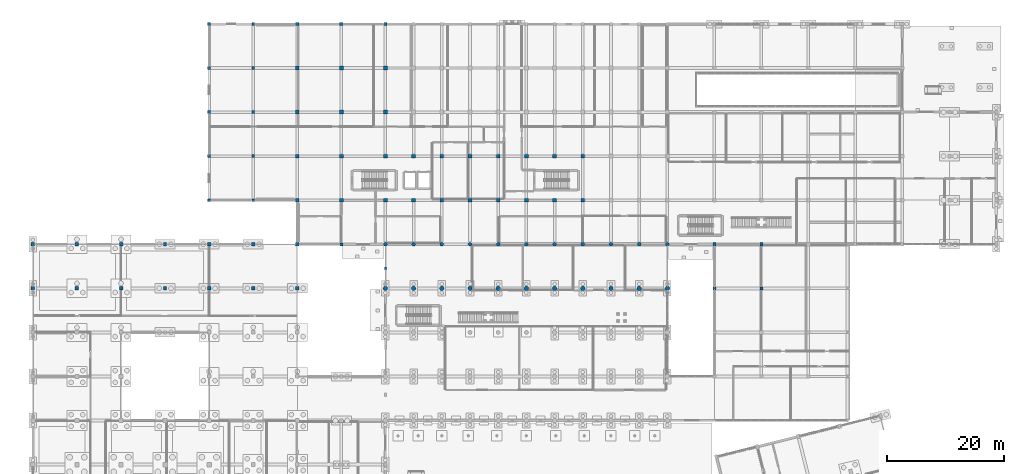
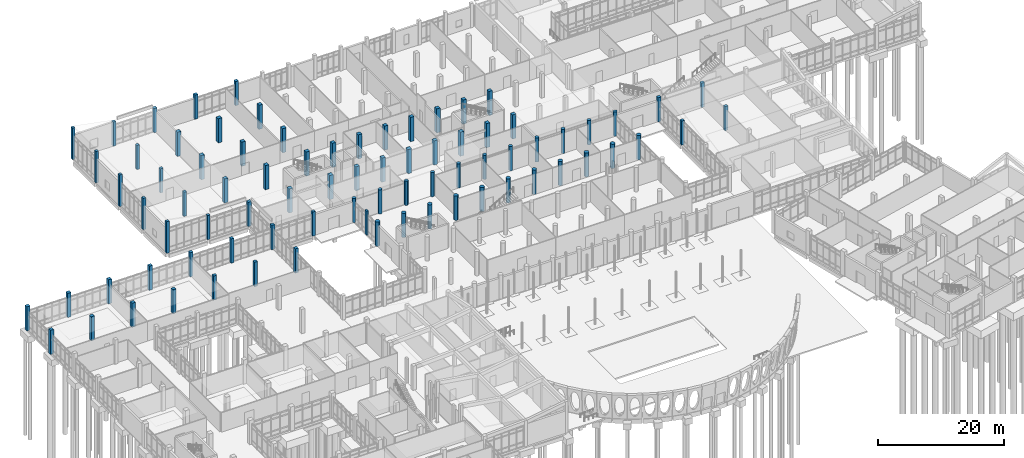
# One storey, part 18 of 173: 81 columns.
"""IFC4 building model written with IfcOpenShell, lengths in metres."""

from ifc_helpers import new_model, si_unit, direction, frame, origin, origin_2d, place, context, subcontext, project, spatial, rectangle, circle, extrude, material, material_profile, profile_set, type_object, element, save


model = new_model("IFC4")

# Units and contexts
model_context = context("Model", 3, precision=1e-05, world=origin(), true_north=direction((0.0, 1.0)))
body_context = subcontext(model_context, "Body", "Model", "MODEL_VIEW")
ifc_project = project(units=[si_unit("LENGTHUNIT", "METRE"), si_unit("AREAUNIT", "SQUARE_METRE"), si_unit("VOLUMEUNIT", "CUBIC_METRE"), si_unit("PLANEANGLEUNIT", "RADIAN"), si_unit("MASSUNIT", "GRAM", prefix="KILO")], contexts=[model_context])

# Site, building, storey
site_placement = place(None, origin())
site = spatial("IfcSite", under=ifc_project, at=site_placement, CompositionType="ELEMENT")
building_placement = place(site_placement, origin())
building = spatial("IfcBuilding", under=site, at=building_placement, Name="Mawjan Specialist Oncology Clinic", CompositionType="ELEMENT")
storey_placement = place(building_placement, origin())
storey = spatial("IfcBuildingStorey", under=building, at=storey_placement, Name="L00", CompositionType="ELEMENT", Elevation=0.0)

# Columns
ifc_material_1 = material(Name="Concrete C45/55", Category="concrete")
ifc_material_profile_1 = material_profile(ifc_material_1, rectangle(XDim=0.5, YDim=0.5, at=origin_2d()), Name="RC COL 500x500", Category="concrete")
ifc_profile_set_1 = profile_set([ifc_material_profile_1], Name="Concrete C45/55")
column_type_1 = type_object("IfcColumnType", Name="C-500", PredefinedType="COLUMN", material=ifc_profile_set_1)
for number, where, z_axis, x_axis, name in (
    (1, (30.0, 83.300048828125, 0.0), (0.0, 0.0, 1.0), (1.0, 0.0, 0.0), "L00 Column G-5-M"),
    (2, (30.0, 90.800048828125, 0.0), (0.0, 0.0, 1.0), (1.0, 0.0, 0.0), "L00 Column G-5-N"),
    (3, (30.0, 98.300048828125, 0.0), (0.0, 0.0, 1.0), (1.0, 0.0, 0.0), "L00 Column G-5-P"),
    (4, (30.0, 105.800048828125, 0.0), (0.0, 0.0, 1.0), (1.0, 0.0, 0.0), "L00 Column G-5-Q"),
    (5, (30.0, 113.300048828125, 0.0), (0.0, 0.0, 1.0), (1.0, 0.0, 0.0), "L00 Column G-5-R"),
):
    element("IfcColumn", number, at=place(storey_placement, frame(where, z_axis=z_axis, x_axis=x_axis)), inside=storey, type_object=column_type_1, Name=name, PredefinedType="COLUMN", context=body_context, shape_type="SweptSolid", body=[
        extrude(rectangle(XDim=0.5, YDim=0.5, at=origin_2d()), origin(), (0.0, 0.0, 1.0), 6.135986328125),
    ])
for number, where, z_axis, x_axis, name in (
    (6, (37.5, 83.300048828125, 0.0), (0.0, 0.0, 1.0), (1.0, 0.0, 0.0), "L00 Column G-6-M"),
    (7, (37.5, 90.800048828125, 0.0), (0.0, 0.0, 1.0), (1.0, 0.0, 0.0), "L00 Column G-6-N"),
    (8, (37.5, 98.300048828125, 0.0), (0.0, 0.0, 1.0), (1.0, 0.0, 0.0), "L00 Column G-6-P"),
    (9, (37.5, 105.800048828125, 0.0), (0.0, 0.0, 1.0), (1.0, 0.0, 0.0), "L00 Column G-6-Q"),
    (10, (37.5, 113.300048828125, 0.0), (0.0, 0.0, 1.0), (1.0, 0.0, 0.0), "L00 Column G-6-R"),
    (11, (52.5, 75.800048828125, 0.0), (0.0, 0.0, 1.0), (1.0, 0.0, 0.0), "L00 Column G-8-L"),
):
    element("IfcColumn", number, at=place(storey_placement, frame(where, z_axis=z_axis, x_axis=x_axis)), inside=storey, type_object=column_type_1, Name=name, PredefinedType="COLUMN", context=body_context, shape_type="SweptSolid", body=[
        extrude(rectangle(XDim=0.5, YDim=0.5, at=origin_2d()), origin(), (0.0, 0.0, 1.0), 4.699951171875),
    ])
for number, where, z_axis, x_axis, name in (
    (12, (116.0, 68.300048828125, 0.0), (0.0, 0.0, 1.0), (1.0, 0.0, 0.0), "L00 Column G-20-K"),
    (13, (124.0, 68.300048828125, 0.0), (0.0, 0.0, 1.0), (1.0, 0.0, 0.0), "L00 Column G-21-K"),
):
    element("IfcColumn", number, at=place(storey_placement, frame(where, z_axis=z_axis, x_axis=x_axis)), inside=storey, type_object=column_type_1, Name=name, PredefinedType="COLUMN", context=body_context, shape_type="SweptSolid", body=[
        extrude(rectangle(XDim=0.5, YDim=0.5, at=origin_2d()), origin(), (0.0, 0.0, 1.0), 4.7041015625),
    ])
ifc_material_2 = material(Name="Concrete C45/55", Category="concrete")
ifc_material_profile_2 = material_profile(ifc_material_2, rectangle(XDim=0.550048828125, YDim=0.550048828125, at=origin_2d()), Name="RC COL 550x550", Category="concrete")
ifc_profile_set_2 = profile_set([ifc_material_profile_2], Name="Concrete C45/55")
column_type_2 = type_object("IfcColumnType", Name="C-550", PredefinedType="COLUMN", material=ifc_profile_set_2)
for number, where, z_axis, x_axis, name in (
    (14, (22.5, 68.300048828125, 0.0), (0.0, 0.0, 1.0), (1.0, 0.0, 0.0), "L00 Column G-4-K"),
    (15, (22.5, 75.800048828125, 0.0), (0.0, 0.0, 1.0), (1.0, 0.0, 0.0), "L00 Column G-4-L"),
    (16, (30.0, 68.300048828125, 0.0), (0.0, 0.0, 1.0), (1.0, 0.0, 0.0), "L00 Column G-5-K"),
    (17, (30.0, 75.800048828125, 0.0), (0.0, 0.0, 1.0), (1.0, 0.0, 0.0), "L00 Column G-5-L"),
):
    element("IfcColumn", number, at=place(storey_placement, frame(where, z_axis=z_axis, x_axis=x_axis)), inside=storey, type_object=column_type_2, Name=name, PredefinedType="COLUMN", context=body_context, shape_type="SweptSolid", body=[
        extrude(rectangle(XDim=0.550048828125, YDim=0.550048828125, at=origin_2d()), origin(), (0.0, 0.0, 1.0), 4.699951171875),
    ])
for number, where, z_axis, x_axis, name in (
    (18, (37.5, 68.300048828125, 0.0), (0.0, 0.0, 1.0), (1.0, 0.0, 0.0), "L00 Column G-6-K"),
    (19, (37.5, 75.800048828125, 0.0), (0.0, 0.0, 1.0), (1.0, 0.0, 0.0), "L00 Column G-6-L"),
    (20, (45.0, 68.300048828125, 0.0), (0.0, 0.0, 1.0), (1.0, 0.0, 0.0), "L00 Column G-7-K"),
    (21, (45.0, 75.800048828125, 0.0), (0.0, 0.0, 1.0), (1.0, 0.0, 0.0), "L00 Column G-7-L"),
):
    element("IfcColumn", number, at=place(storey_placement, frame(where, z_axis=z_axis, x_axis=x_axis)), inside=storey, type_object=column_type_2, Name=name, PredefinedType="COLUMN", context=body_context, shape_type="SweptSolid", body=[
        extrude(rectangle(XDim=0.550048828125, YDim=0.550048828125, at=origin_2d()), origin(), (0.0, 0.0, 1.0), 4.75),
    ])
for number, where, z_axis, x_axis, name in (
    (22, (45.0, 113.300048828125, 0.0), (0.0, 0.0, 1.0), (1.0, 0.0, 0.0), "L00 Column G-7-R"),
    (23, (52.5, 113.300048828125, 0.0), (0.0, 0.0, 1.0), (1.0, 0.0, 0.0), "L00 Column G-8-R"),
    (24, (60.0, 113.300048828125, 0.0), (0.0, 0.0, 1.0), (1.0, 0.0, 0.0), "L00 Column G-9-R"),
    (25, (116.0, 75.800048828125, 0.0), (0.0, 0.0, 1.0), (1.0, 0.0, 0.0), "L00 Column G-20-L"),
    (26, (124.0, 75.800048828125, 0.0), (0.0, 0.0, 1.0), (1.0, 0.0, 0.0), "L00 Column G-21-L"),
):
    element("IfcColumn", number, at=place(storey_placement, frame(where, z_axis=z_axis, x_axis=x_axis)), inside=storey, type_object=column_type_2, Name=name, PredefinedType="COLUMN", context=body_context, shape_type="SweptSolid", body=[
        extrude(rectangle(XDim=0.550048828125, YDim=0.550048828125, at=origin_2d()), origin(), (0.0, 0.0, 1.0), 4.699951171875),
    ])
ifc_material_3 = material(Name="Concrete C45/55", Category="concrete")
ifc_material_profile_3 = material_profile(ifc_material_3, rectangle(XDim=0.60009765625, YDim=0.60009765625, at=origin_2d()), Name="RC COL 600x600", Category="concrete")
ifc_profile_set_3 = profile_set([ifc_material_profile_3], Name="Concrete C45/55")
column_type_3 = type_object("IfcColumnType", Name="C-600", PredefinedType="COLUMN", material=ifc_profile_set_3)
for number, where, z_axis, x_axis, name in (
    (27, (0.0, 68.300048828125, 0.0), (0.0, 0.0, 1.0), (1.0, 0.0, 0.0), "L00 Column G-1-K"),
    (28, (0.0, 75.800048828125, 0.0), (0.0, 0.0, 1.0), (1.0, 0.0, 0.0), "L00 Column G-1-L"),
    (29, (7.5, 68.300048828125, 0.0), (0.0, 0.0, 1.0), (1.0, 0.0, 0.0), "L00 Column G-2-K"),
    (30, (7.5, 75.800048828125, 0.0), (0.0, 0.0, 1.0), (1.0, 0.0, 0.0), "L00 Column G-2-L"),
    (31, (15.0, 68.300048828125, 0.0), (0.0, 0.0, 1.0), (1.0, 0.0, 0.0), "L00 Column G-3-K"),
    (32, (15.0, 75.800048828125, 0.0), (0.0, 0.0, 1.0), (1.0, 0.0, 0.0), "L00 Column G-3-L"),
    (33, (45.0, 83.300048828125, 0.0), (0.0, 0.0, 1.0), (1.0, 0.0, 0.0), "L00 Column G-7-M"),
    (34, (45.0, 90.800048828125, 0.0), (0.0, 0.0, 1.0), (1.0, 0.0, 0.0), "L00 Column G-7-N"),
):
    element("IfcColumn", number, at=place(storey_placement, frame(where, z_axis=z_axis, x_axis=x_axis)), inside=storey, type_object=column_type_3, Name=name, PredefinedType="COLUMN", context=body_context, shape_type="SweptSolid", body=[
        extrude(rectangle(XDim=0.60009765625, YDim=0.60009765625, at=origin_2d()), origin(), (0.0, 0.0, 1.0), 4.699951171875),
    ])
ifc_material_4 = material(Name="Concrete C45/55", Category="concrete")
ifc_material_profile_4 = material_profile(ifc_material_4, rectangle(XDim=0.64990234375, YDim=0.64990234375, at=origin_2d()), Name="RC COL 650x650", Category="concrete")
ifc_profile_set_4 = profile_set([ifc_material_profile_4], Name="Concrete C45/55")
column_type_4 = type_object("IfcColumnType", Name="C-650", PredefinedType="COLUMN", material=ifc_profile_set_4)
for number, where, z_axis, x_axis, name in (
    (35, (45.0, 98.300048828125, 0.0), (0.0, 0.0, 1.0), (1.0, 0.0, 0.0), "L00 Column G-7-P"),
    (36, (45.0, 105.800048828125, 0.0), (0.0, 0.0, 1.0), (1.0, 0.0, 0.0), "L00 Column G-7-Q"),
    (37, (52.5, 83.300048828125, 0.0), (0.0, 0.0, 1.0), (1.0, 0.0, 0.0), "L00 Column G-8-M"),
    (38, (52.5, 90.800048828125, 0.0), (0.0, 0.0, 1.0), (1.0, 0.0, 0.0), "L00 Column G-8-N"),
    (39, (52.5, 98.300048828125, 0.0), (0.0, 0.0, 1.0), (1.0, 0.0, 0.0), "L00 Column G-8-P"),
    (40, (52.5, 105.800048828125, 0.0), (0.0, 0.0, 1.0), (1.0, 0.0, 0.0), "L00 Column G-8-Q"),
    (41, (60.0, 83.300048828125, 0.0), (0.0, 0.0, 1.0), (1.0, 0.0, 0.0), "L00 Column G-9-M"),
    (42, (60.0, 90.800048828125, 0.0), (0.0, 0.0, 1.0), (1.0, 0.0, 0.0), "L00 Column G-9-N"),
    (43, (60.0, 98.300048828125, 0.0), (0.0, 0.0, 1.0), (1.0, 0.0, 0.0), "L00 Column G-9-P"),
    (44, (60.0, 105.800048828125, 0.0), (0.0, 0.0, 1.0), (1.0, 0.0, 0.0), "L00 Column G-9-Q"),
    (45, (64.800048828125, 83.300048828125, 0.0), (0.0, 0.0, 1.0), (1.0, 0.0, 0.0), "L00 Column G-10-M"),
    (46, (64.800048828125, 90.800048828125, 0.0), (0.0, 0.0, 1.0), (1.0, 0.0, 0.0), "L00 Column G-10-N"),
    (47, (69.60009765625, 83.300048828125, 0.0), (0.0, 0.0, 1.0), (1.0, 0.0, 0.0), "L00 Column G-11-M"),
    (48, (69.60009765625, 90.800048828125, 0.0), (0.0, 0.0, 1.0), (1.0, 0.0, 0.0), "L00 Column G-11-N"),
    (49, (74.39990234375, 83.300048828125, 0.0), (0.0, 0.0, 1.0), (1.0, 0.0, 0.0), "L00 Column G-12-M"),
    (50, (74.39990234375, 90.800048828125, 0.0), (0.0, 0.0, 1.0), (1.0, 0.0, 0.0), "L00 Column G-12-N"),
    (51, (79.199951171875, 83.300048828125, 0.0), (0.0, 0.0, 1.0), (1.0, 0.0, 0.0), "L00 Column G-13-M"),
    (52, (79.199951171875, 90.800048828125, 0.0), (0.0, 0.0, 1.0), (1.0, 0.0, 0.0), "L00 Column G-13-N"),
    (53, (84.0, 83.300048828125, 0.0), (0.0, 0.0, 1.0), (1.0, 0.0, 0.0), "L00 Column G-14-M"),
    (54, (84.0, 90.800048828125, 0.0), (0.0, 0.0, 1.0), (1.0, 0.0, 0.0), "L00 Column G-14-N"),
    (55, (88.800048828125, 83.300048828125, 0.0), (0.0, 0.0, 1.0), (1.0, 0.0, 0.0), "L00 Column G-15-M"),
    (56, (88.800048828125, 90.800048828125, 0.0), (0.0, 0.0, 1.0), (1.0, 0.0, 0.0), "L00 Column G-15-N"),
    (57, (93.60009765625, 83.300048828125, 0.0), (0.0, 0.0, 1.0), (1.0, 0.0, 0.0), "L00 Column G-16-M"),
    (58, (93.60009765625, 90.800048828125, 0.0), (0.0, 0.0, 1.0), (1.0, 0.0, 0.0), "L00 Column G-16-N"),
):
    element("IfcColumn", number, at=place(storey_placement, frame(where, z_axis=z_axis, x_axis=x_axis)), inside=storey, type_object=column_type_4, Name=name, PredefinedType="COLUMN", context=body_context, shape_type="SweptSolid", body=[
        extrude(rectangle(XDim=0.64990234375, YDim=0.64990234375, at=origin_2d()), origin(), (0.0, 0.0, 1.0), 4.699951171875),
    ])
ifc_material_5 = material(Name="Concrete C45/55", Category="concrete")
ifc_material_profile_5 = material_profile(ifc_material_5, circle(Radius=0.324951171875, at=origin_2d()), Name="RC COL D650", Category="concrete")
ifc_profile_set_5 = profile_set([ifc_material_profile_5], Name="Concrete C45/55")
column_type_5 = type_object("IfcColumnType", Name="C-D650", PredefinedType="COLUMN", material=ifc_profile_set_5)
for number, where, z_axis, x_axis, name in (
    (59, (60.0, 75.800048828125, 0.0), (0.0, 0.0, 1.0), (1.0, 0.0, 0.0), "L00 Column G-9-L"),
    (60, (64.800048828125, 75.800048828125, 0.0), (0.0, 0.0, 1.0), (1.0, 0.0, 0.0), "L00 Column G-10-L"),
    (61, (69.60009765625, 75.800048828125, 0.0), (0.0, 0.0, 1.0), (1.0, 0.0, 0.0), "L00 Column G-11-L"),
    (62, (74.39990234375, 75.800048828125, 0.0), (0.0, 0.0, 1.0), (1.0, 0.0, 0.0), "L00 Column G-12-L"),
    (63, (79.199951171875, 75.800048828125, 0.0), (0.0, 0.0, 1.0), (1.0, 0.0, 0.0), "L00 Column G-13-L"),
    (64, (84.0, 75.800048828125, 0.0), (0.0, 0.0, 1.0), (1.0, 0.0, 0.0), "L00 Column G-14-L"),
    (65, (88.800048828125, 75.800048828125, 0.0), (0.0, 0.0, 1.0), (1.0, 0.0, 0.0), "L00 Column G-15-L"),
    (66, (93.60009765625, 75.800048828125, 0.0), (0.0, 0.0, 1.0), (1.0, 0.0, 0.0), "L00 Column G-16-L"),
    (67, (98.39990234375, 75.800048828125, 0.0), (0.0, 0.0, 1.0), (1.0, 0.0, 0.0), "L00 Column G-17-L"),
    (68, (103.199951171875, 75.800048828125, 0.0), (0.0, 0.0, 1.0), (1.0, 0.0, 0.0), "L00 Column G-18-L"),
    (69, (108.0, 75.800048828125, 0.0), (0.0, 0.0, 1.0), (1.0, 0.0, 0.0), "L00 Column G-19-L"),
):
    element("IfcColumn", number, at=place(storey_placement, frame(where, z_axis=z_axis, x_axis=x_axis)), inside=storey, type_object=column_type_5, Name=name, PredefinedType="COLUMN", context=body_context, shape_type="SweptSolid", body=[
        extrude(circle(Radius=0.324951171875, at=origin_2d()), origin(), (0.0, 0.0, 1.0), 4.699951171875),
    ])
ifc_material_6 = material(Name="Concrete C45/55", Category="concrete")
ifc_material_profile_6 = material_profile(ifc_material_6, circle(Radius=0.375, at=origin_2d()), Name="RC COL D750", Category="concrete")
ifc_profile_set_6 = profile_set([ifc_material_profile_6], Name="Concrete C45/55")
column_type_6 = type_object("IfcColumnType", Name="C-D750", PredefinedType="COLUMN", material=ifc_profile_set_6)
for number, where, z_axis, x_axis, name in (
    (70, (60.0, 68.300048828125, 0.0), (0.0, 0.0, 1.0), (1.0, 0.0, 0.0), "L00 Column G-9-K"),
    (71, (64.800048828125, 68.300048828125, 0.0), (0.0, 0.0, 1.0), (1.0, 0.0, 0.0), "L00 Column G-10-K"),
    (72, (69.60009765625, 68.300048828125, 0.0), (0.0, 0.0, 1.0), (1.0, 0.0, 0.0), "L00 Column G-11-K"),
    (73, (74.39990234375, 68.300048828125, 0.0), (0.0, 0.0, 1.0), (1.0, 0.0, 0.0), "L00 Column G-12-K"),
    (74, (79.199951171875, 68.300048828125, 0.0), (0.0, 0.0, 1.0), (1.0, 0.0, 0.0), "L00 Column G-13-K"),
    (75, (84.0, 68.300048828125, 0.0), (0.0, 0.0, 1.0), (1.0, 0.0, 0.0), "L00 Column G-14-K"),
    (76, (88.800048828125, 68.300048828125, 0.0), (0.0, 0.0, 1.0), (1.0, 0.0, 0.0), "L00 Column G-15-K"),
    (77, (93.60009765625, 68.300048828125, 0.0), (0.0, 0.0, 1.0), (1.0, 0.0, 0.0), "L00 Column G-16-K"),
    (78, (98.39990234375, 68.300048828125, 0.0), (0.0, 0.0, 1.0), (1.0, 0.0, 0.0), "L00 Column G-17-K"),
    (79, (103.199951171875, 68.300048828125, 0.0), (0.0, 0.0, 1.0), (1.0, 0.0, 0.0), "L00 Column G-18-K"),
    (80, (108.0, 68.300048828125, 0.0), (0.0, 0.0, 1.0), (1.0, 0.0, 0.0), "L00 Column G-19-K"),
):
    element("IfcColumn", number, at=place(storey_placement, frame(where, z_axis=z_axis, x_axis=x_axis)), inside=storey, type_object=column_type_6, Name=name, PredefinedType="COLUMN", context=body_context, shape_type="SweptSolid", body=[
        extrude(circle(Radius=0.375, at=origin_2d()), origin(), (0.0, 0.0, 1.0), 4.699951171875),
    ])
ifc_material_7 = material(Name="Concrete C45/55", Category="concrete")
ifc_material_profile_7 = material_profile(ifc_material_7, rectangle(XDim=0.35009765625, YDim=0.550048828125, at=origin_2d()), Name="RC PIL 350x550", Category="concrete")
ifc_profile_set_7 = profile_set([ifc_material_profile_7], Name="Concrete C45/55")
column_type_7 = type_object("IfcColumnType", Name="PIL-350", PredefinedType="PILASTER", material=ifc_profile_set_7)
column_placement = place(storey_placement, frame((60.0, 71.699951171875, 0.0), z_axis=(0.0, 0.0, 1.0), x_axis=(1.0, 0.0, 0.0)))
element("IfcColumn", 81, at=column_placement, inside=storey, type_object=column_type_7, Name="L00 Architectural Structural Pilaster 12", PredefinedType="PILASTER", context=body_context, shape_type="SweptSolid", body=[
    extrude(rectangle(XDim=0.35009765625, YDim=0.550048828125, at=origin_2d()), origin(), (0.0, 0.0, 1.0), 4.699951171875),
])

save(model, "model.ifc")
